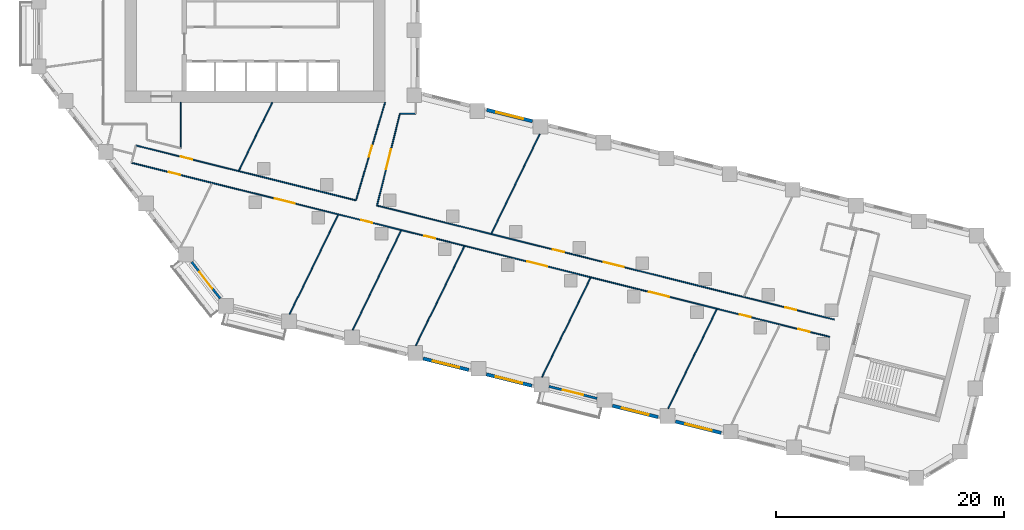
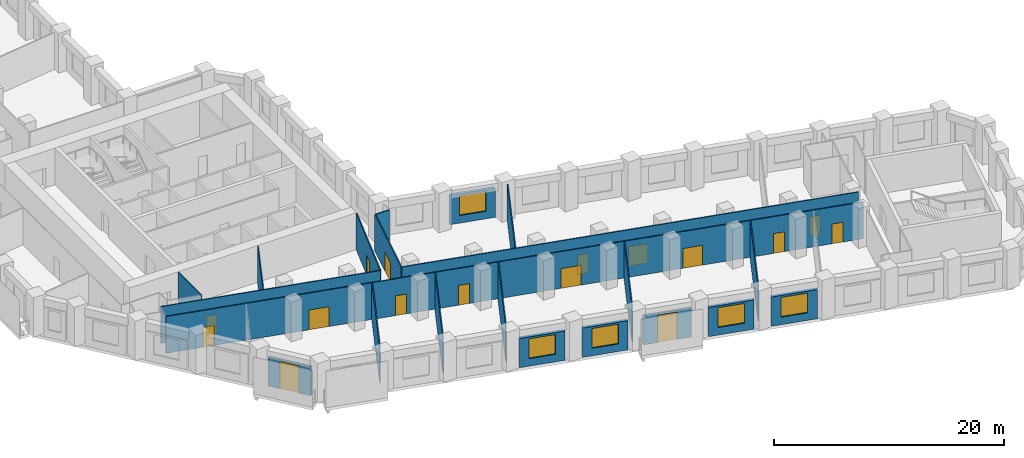
# One storey, part 3 of 11: 21 walls, 16 doors, 5 windows, 21 openings.
"""IFC4 building model written with IfcOpenShell, lengths in metres."""

from ifc_helpers import new_model, si_unit, direction, frame, frame_2d, origin, place, context, subcontext, project, spatial, rectangle, extrude, material, layer, layer_set, type_object, element, fill, save


model = new_model("IFC4")

# Units and contexts
model_context = context("Model", 3, precision=1e-05, world=origin(), true_north=direction((0.0, 1.0)))
body_context = subcontext(model_context, "Body", "Model", "MODEL_VIEW")
ifc_project = project(units=[si_unit("LENGTHUNIT", "METRE"), si_unit("AREAUNIT", "SQUARE_METRE"), si_unit("VOLUMEUNIT", "CUBIC_METRE"), si_unit("PLANEANGLEUNIT", "RADIAN"), si_unit("MASSUNIT", "GRAM", prefix="KILO")], contexts=[model_context])

# Site, building, storey
site_placement = place(None, origin())
site = spatial("IfcSite", under=ifc_project, at=site_placement, CompositionType="ELEMENT")
building_placement = place(site_placement, origin())
building = spatial("IfcBuilding", under=site, at=building_placement, Name="Meshkara Civic Tower", CompositionType="ELEMENT")
storey_placement = place(building_placement, frame((0.0, 0.0, 105.60009765625)))
storey = spatial("IfcBuildingStorey", under=building, at=storey_placement, Name="L23", CompositionType="ELEMENT", Elevation=105.60009765625)

# Wall, openings, doors
ifc_material_1 = material(Name="Corridor wall 100")
ifc_layer_1 = layer(ifc_material_1, 0.10009765625)
ifc_layer_set_1 = layer_set([ifc_layer_1], Name="Corridor wall 100")
wall_type_1 = type_object("IfcWallType", Name="Corridor wall 100", PredefinedType="PARTITIONING", material=ifc_layer_set_1)
wall_1_placement = place(storey_placement, frame((8.5791015625, 8.802978515625, 0.0), z_axis=(0.0, 0.0, 1.0), x_axis=(0.9702968999, -0.241917188404, 0.0)))
wall_1 = element("IfcWall", 1, at=wall_1_placement, inside=storey, type_object=wall_type_1, Name="L23-W006", PredefinedType="PARTITIONING", context=body_context, shape_type="SweptSolid", body=[
    extrude(rectangle(XDim=63.075439453125, YDim=0.10009765625, at=frame_2d((31.53759765625, 0.0))), origin(), (0.0, 0.0, 1.0), 3.89990234375),
])
opening_1_placement = place(wall_1_placement, frame((35.743896484375, 0.0, 0.0)))
opening_1 = element("IfcOpeningElement", 2, at=opening_1_placement, cuts=wall_1, Name="Opening L23-D002", PredefinedType="OPENING", context=body_context, shape_type="SweptSolid", body=[
    extrude(rectangle(XDim=1.800048828125, YDim=2.10009765625, at=frame_2d((0.89990234375, 1.050048828125))), frame((0.0, 0.06005859375, 0.0), z_axis=(0.0, -1.0, 0.0), x_axis=(1.0, 0.0, 0.0)), (0.0, 0.0, 1.0), 0.1201171875),
])
opening_2_placement = place(wall_1_placement, frame((46.743896484375, 0.0, 0.0)))
opening_2 = element("IfcOpeningElement", 3, at=opening_2_placement, cuts=wall_1, Name="Opening L23-D004", PredefinedType="OPENING", context=body_context, shape_type="SweptSolid", body=[
    extrude(rectangle(XDim=1.800048828125, YDim=2.10009765625, at=frame_2d((0.89990234375, 1.050048828125))), frame((0.0, 0.06005859375, 0.0), z_axis=(0.0, -1.0, 0.0), x_axis=(1.0, 0.0, 0.0)), (0.0, 0.0, 1.0), 0.1201171875),
])
opening_3_placement = place(wall_1_placement, frame((54.945068359375, 0.0, 0.0)))
opening_3 = element("IfcOpeningElement", 4, at=opening_3_placement, cuts=wall_1, Name="Opening L23-D005", PredefinedType="OPENING", context=body_context, shape_type="SweptSolid", body=[
    extrude(rectangle(XDim=1.0, YDim=2.10009765625, at=frame_2d((0.5, 1.050048828125))), frame((0.0, 0.06005859375, 0.0), z_axis=(0.0, -1.0, 0.0), x_axis=(1.0, 0.0, 0.0)), (0.0, 0.0, 1.0), 0.1201171875),
])
opening_4_placement = place(wall_1_placement, frame((60.243896484375, 0.0, 0.0)))
opening_4 = element("IfcOpeningElement", 5, at=opening_4_placement, cuts=wall_1, Name="Opening L23-D007", PredefinedType="OPENING", context=body_context, shape_type="SweptSolid", body=[
    extrude(rectangle(XDim=1.0, YDim=2.10009765625, at=frame_2d((0.5, 1.050048828125))), frame((0.0, 0.06005859375, 0.0), z_axis=(0.0, -1.0, 0.0), x_axis=(1.0, 0.0, 0.0)), (0.0, 0.0, 1.0), 0.1201171875),
])
opening_5_placement = place(wall_1_placement, frame((12.944091796875, 0.0, 0.0)))
opening_5 = element("IfcOpeningElement", 6, at=opening_5_placement, cuts=wall_1, Name="Opening L23-D008", PredefinedType="OPENING", context=body_context, shape_type="SweptSolid", body=[
    extrude(rectangle(XDim=1.800048828125, YDim=2.10009765625, at=frame_2d((0.89990234375, 1.050048828125))), frame((0.0, 0.06005859375, 0.0), z_axis=(0.0, -1.0, 0.0), x_axis=(1.0, 0.0, 0.0)), (0.0, 0.0, 1.0), 0.1201171875),
])
opening_6_placement = place(wall_1_placement, frame((20.743896484375, 0.0, 0.0)))
opening_6 = element("IfcOpeningElement", 7, at=opening_6_placement, cuts=wall_1, Name="Opening L23-D009", PredefinedType="OPENING", context=body_context, shape_type="SweptSolid", body=[
    extrude(rectangle(XDim=1.0, YDim=2.10009765625, at=frame_2d((0.5, 1.050048828125))), frame((0.0, 0.06005859375, 0.0), z_axis=(0.0, -1.0, 0.0), x_axis=(1.0, 0.0, 0.0)), (0.0, 0.0, 1.0), 0.1201171875),
])
opening_7_placement = place(wall_1_placement, frame((26.444091796875, 0.0, 0.0)))
opening_7 = element("IfcOpeningElement", 8, at=opening_7_placement, cuts=wall_1, Name="Opening L23-D010", PredefinedType="OPENING", context=body_context, shape_type="SweptSolid", body=[
    extrude(rectangle(XDim=1.0, YDim=2.10009765625, at=frame_2d((0.5, 1.050048828125))), frame((0.0, 0.06005859375, 0.0), z_axis=(0.0, -1.0, 0.0), x_axis=(1.0, 0.0, 0.0)), (0.0, 0.0, 1.0), 0.1201171875),
])
opening_8_placement = place(wall_1_placement, frame((3.3798828125, 0.0, 0.0)))
opening_8 = element("IfcOpeningElement", 9, at=opening_8_placement, cuts=wall_1, Name="Opening L23-D014", PredefinedType="OPENING", context=body_context, shape_type="SweptSolid", body=[
    extrude(rectangle(XDim=1.0, YDim=2.10009765625, at=frame_2d((0.5, 1.050048828125))), frame((0.0, 0.06005859375, 0.0), z_axis=(0.0, -1.0, 0.0), x_axis=(1.0, 0.0, 0.0)), (0.0, 0.0, 1.0), 0.1201171875),
])
ifc_material_2 = material(Name="Door 1000 x 2100")
door_type_1 = type_object("IfcDoorType", Name="Door 1000 x 2100", OperationType="SINGLE_SWING_LEFT", PredefinedType="DOOR", material=ifc_material_2)
door_1_placement = place(opening_3_placement, origin())
door_1 = element("IfcDoor", 10, at=door_1_placement, inside=storey, type_object=door_type_1, Name="L23-D005", OperationType="SINGLE_SWING_RIGHT", OverallHeight=2.10009765625, OverallWidth=1.0, PredefinedType="DOOR", context=body_context, shape_type="SweptSolid", body=[
    extrude(rectangle(XDim=1.0, YDim=2.10009765625, at=frame_2d((0.5, 1.050048828125))), frame((0.0, 0.02490234375, 0.0), z_axis=(0.0, -1.0, 0.0), x_axis=(1.0, 0.0, 0.0)), (0.0, 0.0, 1.0), 0.050048828125),
])
fill(opening_3, door_1)
door_2_placement = place(opening_4_placement, origin())
door_2 = element("IfcDoor", 11, at=door_2_placement, inside=storey, type_object=door_type_1, Name="L23-D007", OperationType="SINGLE_SWING_RIGHT", OverallHeight=2.10009765625, OverallWidth=1.0, PredefinedType="DOOR", context=body_context, shape_type="SweptSolid", body=[
    extrude(rectangle(XDim=1.0, YDim=2.10009765625, at=frame_2d((0.5, 1.050048828125))), frame((0.0, 0.02490234375, 0.0), z_axis=(0.0, -1.0, 0.0), x_axis=(1.0, 0.0, 0.0)), (0.0, 0.0, 1.0), 0.050048828125),
])
fill(opening_4, door_2)
door_3_placement = place(opening_6_placement, origin())
door_3 = element("IfcDoor", 12, at=door_3_placement, inside=storey, type_object=door_type_1, Name="L23-D009", OperationType="SINGLE_SWING_RIGHT", OverallHeight=2.10009765625, OverallWidth=1.0, PredefinedType="DOOR", context=body_context, shape_type="SweptSolid", body=[
    extrude(rectangle(XDim=1.0, YDim=2.10009765625, at=frame_2d((0.5, 1.050048828125))), frame((0.0, 0.02490234375, 0.0), z_axis=(0.0, -1.0, 0.0), x_axis=(1.0, 0.0, 0.0)), (0.0, 0.0, 1.0), 0.050048828125),
])
fill(opening_6, door_3)
door_4_placement = place(opening_7_placement, origin())
door_4 = element("IfcDoor", 13, at=door_4_placement, inside=storey, type_object=door_type_1, Name="L23-D010", OperationType="SINGLE_SWING_RIGHT", OverallHeight=2.10009765625, OverallWidth=1.0, PredefinedType="DOOR", context=body_context, shape_type="SweptSolid", body=[
    extrude(rectangle(XDim=1.0, YDim=2.10009765625, at=frame_2d((0.5, 1.050048828125))), frame((0.0, 0.02490234375, 0.0), z_axis=(0.0, -1.0, 0.0), x_axis=(1.0, 0.0, 0.0)), (0.0, 0.0, 1.0), 0.050048828125),
])
fill(opening_7, door_4)
door_5_placement = place(opening_8_placement, origin())
door_5 = element("IfcDoor", 14, at=door_5_placement, inside=storey, type_object=door_type_1, Name="L23-D014", OperationType="SINGLE_SWING_LEFT", OverallHeight=2.10009765625, OverallWidth=1.0, PredefinedType="DOOR", context=body_context, shape_type="SweptSolid", body=[
    extrude(rectangle(XDim=1.0, YDim=2.10009765625, at=frame_2d((0.5, 1.050048828125))), frame((0.0, 0.02490234375, 0.0), z_axis=(0.0, -1.0, 0.0), x_axis=(1.0, 0.0, 0.0)), (0.0, 0.0, 1.0), 0.050048828125),
])
fill(opening_8, door_5)
ifc_material_3 = material(Name="Door pair 1800 x 2100")
door_type_2 = type_object("IfcDoorType", Name="Door pair 1800 x 2100", OperationType="SINGLE_SWING_LEFT", PredefinedType="DOOR", material=ifc_material_3)
door_6_placement = place(opening_1_placement, origin())
door_6 = element("IfcDoor", 15, at=door_6_placement, inside=storey, type_object=door_type_2, Name="L23-D002", OperationType="DOUBLE_DOOR_SINGLE_SWING", OverallHeight=2.10009765625, OverallWidth=1.800048828125, PredefinedType="DOOR", context=body_context, shape_type="SweptSolid", body=[
    extrude(rectangle(XDim=1.800048828125, YDim=2.10009765625, at=frame_2d((0.89990234375, 1.050048828125))), frame((0.0, 0.02490234375, 0.0), z_axis=(0.0, -1.0, 0.0), x_axis=(1.0, 0.0, 0.0)), (0.0, 0.0, 1.0), 0.050048828125),
])
fill(opening_1, door_6)
door_7_placement = place(opening_2_placement, origin())
door_7 = element("IfcDoor", 16, at=door_7_placement, inside=storey, type_object=door_type_2, Name="L23-D004", OperationType="DOUBLE_DOOR_SINGLE_SWING", OverallHeight=2.10009765625, OverallWidth=1.800048828125, PredefinedType="DOOR", context=body_context, shape_type="SweptSolid", body=[
    extrude(rectangle(XDim=1.800048828125, YDim=2.10009765625, at=frame_2d((0.89990234375, 1.050048828125))), frame((0.0, 0.02490234375, 0.0), z_axis=(0.0, -1.0, 0.0), x_axis=(1.0, 0.0, 0.0)), (0.0, 0.0, 1.0), 0.050048828125),
])
fill(opening_2, door_7)
door_8_placement = place(opening_5_placement, origin())
door_8 = element("IfcDoor", 17, at=door_8_placement, inside=storey, type_object=door_type_2, Name="L23-D008", OperationType="DOUBLE_DOOR_SINGLE_SWING", OverallHeight=2.10009765625, OverallWidth=1.800048828125, PredefinedType="DOOR", context=body_context, shape_type="SweptSolid", body=[
    extrude(rectangle(XDim=1.800048828125, YDim=2.10009765625, at=frame_2d((0.89990234375, 1.050048828125))), frame((0.0, 0.02490234375, 0.0), z_axis=(0.0, -1.0, 0.0), x_axis=(1.0, 0.0, 0.0)), (0.0, 0.0, 1.0), 0.050048828125),
])
fill(opening_5, door_8)

# Wall, opening, door
wall_2_placement = place(storey_placement, frame((8.9580078125, 10.322998046875, 0.0), z_axis=(0.0, 0.0, 1.0), x_axis=(0.970298340477, -0.241911410372, 0.0)))
wall_2 = element("IfcWall", 18, at=wall_2_placement, inside=storey, type_object=wall_type_1, Name="L23-W007", PredefinedType="PARTITIONING", context=body_context, shape_type="SweptSolid", body=[
    extrude(rectangle(XDim=19.879638671875, YDim=0.10009765625, at=frame_2d((9.93994140625, 0.0))), origin(), (0.0, 0.0, 1.0), 3.89990234375),
])
opening_9_placement = place(wall_2_placement, frame((4.080078125, 0.0, 0.0)))
opening_9 = element("IfcOpeningElement", 19, at=opening_9_placement, cuts=wall_2, Name="Opening L23-D015", PredefinedType="OPENING", context=body_context, shape_type="SweptSolid", body=[
    extrude(rectangle(XDim=1.0, YDim=2.10009765625, at=frame_2d((0.5, 1.050048828125))), frame((0.0, 0.06005859375, 0.0), z_axis=(0.0, -1.0, 0.0), x_axis=(1.0, 0.0, 0.0)), (0.0, 0.0, 1.0), 0.1201171875),
])
door_9_placement = place(opening_9_placement, origin())
door_9 = element("IfcDoor", 20, at=door_9_placement, inside=storey, type_object=door_type_1, Name="L23-D015", OperationType="SINGLE_SWING_LEFT", OverallHeight=2.10009765625, OverallWidth=1.0, PredefinedType="DOOR", context=body_context, shape_type="SweptSolid", body=[
    extrude(rectangle(XDim=1.0, YDim=2.10009765625, at=frame_2d((0.5, 1.050048828125))), frame((0.0, 0.02490234375, 0.0), z_axis=(0.0, -1.0, 0.0), x_axis=(1.0, 0.0, 0.0)), (0.0, 0.0, 1.0), 0.050048828125),
])
fill(opening_9, door_9)

# Wall
wall_3_placement = place(storey_placement, frame((12.89990234375, 10.077880859375, 0.0), z_axis=(0.0, 0.0, 1.0), x_axis=(0.0, 1.0, 0.0)))
element("IfcWall", 21, at=wall_3_placement, inside=storey, type_object=wall_type_1, Name="L23-W014", PredefinedType="PARTITIONING", context=body_context, shape_type="SweptSolid", body=[
    extrude(rectangle(XDim=4.022216796875, YDim=0.10009765625, at=frame_2d((2.01123046875, 0.0))), origin(), (0.0, 0.0, 1.0), 3.89990234375),
])

# Wall, openings, doors
wall_4_placement = place(storey_placement, frame((30.091064453125, 5.053955078125, 0.0), z_axis=(0.0, 0.0, 1.0), x_axis=(0.970297406124, -0.241915157999, 0.0)))
wall_4 = element("IfcWall", 22, at=wall_4_placement, inside=storey, type_object=wall_type_1, Name="L23-W020", PredefinedType="PARTITIONING", context=body_context, shape_type="SweptSolid", body=[
    extrude(rectangle(XDim=41.29541015625, YDim=0.10009765625, at=frame_2d((20.647705078125, 0.0))), origin(), (0.0, 0.0, 1.0), 3.89990234375),
])
opening_10_placement = place(wall_4_placement, frame((20.488037109375, 0.0, 0.0)))
opening_10 = element("IfcOpeningElement", 23, at=opening_10_placement, cuts=wall_4, Name="Opening L23-D003", PredefinedType="OPENING", context=body_context, shape_type="SweptSolid", body=[
    extrude(rectangle(XDim=1.800048828125, YDim=2.10009765625, at=frame_2d((0.89990234375, 1.050048828125))), frame((0.0, 0.06005859375, 0.0), z_axis=(0.0, -1.0, 0.0), x_axis=(1.0, 0.0, 0.0)), (0.0, 0.0, 1.0), 0.1201171875),
])
opening_11_placement = place(wall_4_placement, frame((36.886962890625, 0.0, 0.0)))
opening_11 = element("IfcOpeningElement", 24, at=opening_11_placement, cuts=wall_4, Name="Opening L23-D006", PredefinedType="OPENING", context=body_context, shape_type="SweptSolid", body=[
    extrude(rectangle(XDim=1.0, YDim=2.10009765625, at=frame_2d((0.5, 1.050048828125))), frame((0.0, 0.06005859375, 0.0), z_axis=(0.0, -1.0, 0.0), x_axis=(1.0, 0.0, 0.0)), (0.0, 0.0, 1.0), 0.1201171875),
])
opening_12_placement = place(wall_4_placement, frame((15.887939453125, 0.0, 0.0)))
opening_12 = element("IfcOpeningElement", 25, at=opening_12_placement, cuts=wall_4, Name="Opening L23-D011", PredefinedType="OPENING", context=body_context, shape_type="SweptSolid", body=[
    extrude(rectangle(XDim=1.0, YDim=2.10009765625, at=frame_2d((0.5, 1.050048828125))), frame((0.0, 0.06005859375, 0.0), z_axis=(0.0, -1.0, 0.0), x_axis=(1.0, 0.0, 0.0)), (0.0, 0.0, 1.0), 0.1201171875),
])
door_10_placement = place(opening_11_placement, origin())
door_10 = element("IfcDoor", 26, at=door_10_placement, inside=storey, type_object=door_type_1, Name="L23-D006", OperationType="SINGLE_SWING_RIGHT", OverallHeight=2.10009765625, OverallWidth=1.0, PredefinedType="DOOR", context=body_context, shape_type="SweptSolid", body=[
    extrude(rectangle(XDim=1.0, YDim=2.10009765625, at=frame_2d((0.5, 1.050048828125))), frame((0.0, 0.02490234375, 0.0), z_axis=(0.0, -1.0, 0.0), x_axis=(1.0, 0.0, 0.0)), (0.0, 0.0, 1.0), 0.050048828125),
])
fill(opening_11, door_10)
door_11_placement = place(opening_12_placement, origin())
door_11 = element("IfcDoor", 27, at=door_11_placement, inside=storey, type_object=door_type_1, Name="L23-D011", OperationType="SINGLE_SWING_LEFT", OverallHeight=2.10009765625, OverallWidth=1.0, PredefinedType="DOOR", context=body_context, shape_type="SweptSolid", body=[
    extrude(rectangle(XDim=1.0, YDim=2.10009765625, at=frame_2d((0.5, 1.050048828125))), frame((0.0, 0.02490234375, 0.0), z_axis=(0.0, -1.0, 0.0), x_axis=(1.0, 0.0, 0.0)), (0.0, 0.0, 1.0), 0.050048828125),
])
fill(opening_12, door_11)
door_12_placement = place(opening_10_placement, origin())
door_12 = element("IfcDoor", 28, at=door_12_placement, inside=storey, type_object=door_type_2, Name="L23-D003", OperationType="DOUBLE_DOOR_SINGLE_SWING", OverallHeight=2.10009765625, OverallWidth=1.800048828125, PredefinedType="DOOR", context=body_context, shape_type="SweptSolid", body=[
    extrude(rectangle(XDim=1.800048828125, YDim=2.10009765625, at=frame_2d((0.89990234375, 1.050048828125))), frame((0.0, 0.02490234375, 0.0), z_axis=(0.0, -1.0, 0.0), x_axis=(1.0, 0.0, 0.0)), (0.0, 0.0, 1.0), 0.050048828125),
])
fill(opening_10, door_12)

# Wall, opening, door
wall_5_placement = place(storey_placement, frame((30.091064453125, 5.053955078125, 0.0), z_axis=(0.0, 0.0, 1.0), x_axis=(0.241891322374, 0.970303348526, 0.0)))
wall_5 = element("IfcWall", 29, at=wall_5_placement, inside=storey, type_object=wall_type_1, Name="L23-W021", PredefinedType="PARTITIONING", context=body_context, shape_type="SweptSolid", body=[
    extrude(rectangle(XDim=8.29248046875, YDim=0.10009765625, at=frame_2d((4.146240234375, 0.0))), origin(), (0.0, 0.0, 1.0), 3.89990234375),
])
opening_13_placement = place(wall_5_placement, frame((3.280029296875, 0.0, 0.0)))
opening_13 = element("IfcOpeningElement", 30, at=opening_13_placement, cuts=wall_5, Name="Opening L23-D017", PredefinedType="OPENING", context=body_context, shape_type="SweptSolid", body=[
    extrude(rectangle(XDim=1.800048828125, YDim=2.10009765625, at=frame_2d((0.89990234375, 1.050048828125))), frame((0.0, 0.06005859375, 0.0), z_axis=(0.0, -1.0, 0.0), x_axis=(1.0, 0.0, 0.0)), (0.0, 0.0, 1.0), 0.1201171875),
])
door_13_placement = place(opening_13_placement, origin())
door_13 = element("IfcDoor", 31, at=door_13_placement, inside=storey, type_object=door_type_2, Name="L23-D017", OperationType="DOUBLE_DOOR_SINGLE_SWING", OverallHeight=2.10009765625, OverallWidth=1.800048828125, PredefinedType="DOOR", context=body_context, shape_type="SweptSolid", body=[
    extrude(rectangle(XDim=1.800048828125, YDim=2.10009765625, at=frame_2d((0.89990234375, 1.050048828125))), frame((0.0, 0.02490234375, 0.0), z_axis=(0.0, -1.0, 0.0), x_axis=(1.0, 0.0, 0.0)), (0.0, 0.0, 1.0), 0.050048828125),
])
fill(opening_13, door_13)

wall_6_placement = place(storey_placement, frame((30.800048828125, 14.10009765625, 0.0), z_axis=(0.0, 0.0, 1.0), x_axis=(-0.285004107837, -0.958526295162, 0.0)))
wall_6 = element("IfcWall", 32, at=wall_6_placement, inside=storey, type_object=wall_type_1, Name="L23-W022", PredefinedType="PARTITIONING", context=body_context, shape_type="SweptSolid", body=[
    extrude(rectangle(XDim=8.957763671875, YDim=0.10009765625, at=frame_2d((4.47900390625, 0.0))), origin(), (0.0, 0.0, 1.0), 3.89990234375),
])
opening_14_placement = place(wall_6_placement, frame((3.97998046875, 0.0, 0.0)))
opening_14 = element("IfcOpeningElement", 33, at=opening_14_placement, cuts=wall_6, Name="Opening L23-D016", PredefinedType="OPENING", context=body_context, shape_type="SweptSolid", body=[
    extrude(rectangle(XDim=1.0, YDim=2.10009765625, at=frame_2d((0.5, 1.050048828125))), frame((0.0, 0.06005859375, 0.0), z_axis=(0.0, -1.0, 0.0), x_axis=(1.0, 0.0, 0.0)), (0.0, 0.0, 1.0), 0.1201171875),
])
door_14_placement = place(opening_14_placement, origin())
door_14 = element("IfcDoor", 34, at=door_14_placement, inside=storey, type_object=door_type_1, Name="L23-D016", OperationType="SINGLE_SWING_LEFT", OverallHeight=2.10009765625, OverallWidth=1.0, PredefinedType="DOOR", context=body_context, shape_type="SweptSolid", body=[
    extrude(rectangle(XDim=1.0, YDim=2.10009765625, at=frame_2d((0.5, 1.050048828125))), frame((0.0, 0.02490234375, 0.0), z_axis=(0.0, -1.0, 0.0), x_axis=(1.0, 0.0, 0.0)), (0.0, 0.0, 1.0), 0.050048828125),
])
fill(opening_14, door_14)

# Wall
wall_7_placement = place(storey_placement, frame((32.096923828125, 13.10009765625, 0.0), z_axis=(0.0, 0.0, 1.0), x_axis=(1.0, 0.0, 0.0)))
element("IfcWall", 35, at=wall_7_placement, inside=storey, type_object=wall_type_1, Name="L23-W023", PredefinedType="PARTITIONING", context=body_context, shape_type="SweptSolid", body=[
    extrude(rectangle(XDim=1.403076171875, YDim=0.10009765625, at=frame_2d((0.70166015625, 0.0))), origin(), (0.0, 0.0, 1.0), 3.89990234375),
])

# Wall, opening, window
ifc_material_4 = material(Name="Insulated infill panel with bronze anodised aluminium cladding", Category="aluminium")
ifc_layer_2 = layer(ifc_material_4, 0.300048828125)
ifc_layer_set_2 = layer_set([ifc_layer_2], Name="EXTERNAL INFILL WALL 300")
wall_type_2 = type_object("IfcWallType", Name="EXTERNAL INFILL WALL 300", PredefinedType="SOLIDWALL", material=ifc_layer_set_2)
wall_8_placement = place(storey_placement, frame((43.718994140625, 12.443115234375, 0.0), z_axis=(0.0, 0.0, 1.0), x_axis=(-0.970281650314, 0.241978344205, 0.0)))
wall_8 = element("IfcWall", 36, at=wall_8_placement, inside=storey, type_object=wall_type_2, Name="External wall", PredefinedType="SOLIDWALL", context=body_context, shape_type="SweptSolid", body=[
    extrude(rectangle(XDim=4.12353515625, YDim=0.300048828125, at=frame_2d((2.061767578125, 0.0))), origin(), (0.0, 0.0, 1.0), 3.099853515625),
])
opening_15_placement = place(wall_8_placement, frame((0.862060546875, 0.0, 0.800048828125)))
opening_15 = element("IfcOpeningElement", 37, at=opening_15_placement, cuts=wall_8, Name="Opening W7", PredefinedType="OPENING", context=body_context, shape_type="SweptSolid", body=[
    extrude(rectangle(XDim=2.39990234375, YDim=2.10009765625, at=frame_2d((1.199951171875, 1.050048828125))), frame((0.0, 0.159912109375, 0.0), z_axis=(0.0, -1.0, 0.0), x_axis=(1.0, 0.0, 0.0)), (0.0, 0.0, 1.0), 0.320068359375),
])
ifc_material_5 = material(Name="Tinted double glazing", Category="glass")
window_type = type_object("IfcWindowType", Name="WINDOW 2400x2100", PartitioningType="DOUBLE_PANEL_VERTICAL", PredefinedType="WINDOW", material=ifc_material_5)
window_1_placement = place(opening_15_placement, origin())
window_1 = element("IfcWindow", 38, at=window_1_placement, inside=storey, type_object=window_type, Name="Window", OverallHeight=2.10009765625, OverallWidth=2.39990234375, PartitioningType="DOUBLE_PANEL_VERTICAL", PredefinedType="WINDOW", context=body_context, shape_type="SweptSolid", body=[
    extrude(rectangle(XDim=2.39990234375, YDim=2.10009765625, at=frame_2d((1.199951171875, 1.050048828125))), frame((0.0, 0.030029296875, 0.0), z_axis=(0.0, -1.0, 0.0), x_axis=(1.0, 0.0, 0.0)), (0.0, 0.0, 1.0), 0.06005859375),
])
fill(opening_15, window_1)

wall_9_placement = place(storey_placement, frame((34.135009765625, -8.35595703125, 0.0), z_axis=(0.0, 0.0, 1.0), x_axis=(0.970281616392, -0.241978480223, 0.0)))
wall_9 = element("IfcWall", 39, at=wall_9_placement, inside=storey, type_object=wall_type_2, Name="External wall", PredefinedType="SOLIDWALL", context=body_context, shape_type="SweptSolid", body=[
    extrude(rectangle(XDim=4.12451171875, YDim=0.300048828125, at=frame_2d((2.062255859375, 0.0))), origin(), (0.0, 0.0, 1.0), 3.099853515625),
])
opening_16_placement = place(wall_9_placement, frame((0.862060546875, 0.0, 0.800048828125)))
opening_16 = element("IfcOpeningElement", 40, at=opening_16_placement, cuts=wall_9, Name="Opening W7", PredefinedType="OPENING", context=body_context, shape_type="SweptSolid", body=[
    extrude(rectangle(XDim=2.39990234375, YDim=2.10009765625, at=frame_2d((1.199951171875, 1.050048828125))), frame((0.0, 0.159912109375, 0.0), z_axis=(0.0, -1.0, 0.0), x_axis=(1.0, 0.0, 0.0)), (0.0, 0.0, 1.0), 0.320068359375),
])
window_2_placement = place(opening_16_placement, origin())
window_2 = element("IfcWindow", 41, at=window_2_placement, inside=storey, type_object=window_type, Name="Window", OverallHeight=2.10009765625, OverallWidth=2.39990234375, PartitioningType="DOUBLE_PANEL_VERTICAL", PredefinedType="WINDOW", context=body_context, shape_type="SweptSolid", body=[
    extrude(rectangle(XDim=2.39990234375, YDim=2.10009765625, at=frame_2d((1.199951171875, 1.050048828125))), frame((0.0, 0.030029296875, 0.0), z_axis=(0.0, -1.0, 0.0), x_axis=(1.0, 0.0, 0.0)), (0.0, 0.0, 1.0), 0.06005859375),
])
fill(opening_16, window_2)

wall_10_placement = place(storey_placement, frame((39.666015625, -9.735107421875, 0.0), z_axis=(0.0, 0.0, 1.0), x_axis=(0.97029551261, -0.241922752565, 0.0)))
wall_10 = element("IfcWall", 42, at=wall_10_placement, inside=storey, type_object=wall_type_2, Name="External wall", PredefinedType="SOLIDWALL", context=body_context, shape_type="SweptSolid", body=[
    extrude(rectangle(XDim=4.12451171875, YDim=0.300048828125, at=frame_2d((2.062255859375, 0.0))), origin(), (0.0, 0.0, 1.0), 3.099853515625),
])
opening_17_placement = place(wall_10_placement, frame((0.862060546875, 0.0, 0.800048828125)))
opening_17 = element("IfcOpeningElement", 43, at=opening_17_placement, cuts=wall_10, Name="Opening W7", PredefinedType="OPENING", context=body_context, shape_type="SweptSolid", body=[
    extrude(rectangle(XDim=2.39990234375, YDim=2.10009765625, at=frame_2d((1.199951171875, 1.050048828125))), frame((0.0, 0.159912109375, 0.0), z_axis=(0.0, -1.0, 0.0), x_axis=(1.0, 0.0, 0.0)), (0.0, 0.0, 1.0), 0.320068359375),
])
window_3_placement = place(opening_17_placement, origin())
window_3 = element("IfcWindow", 44, at=window_3_placement, inside=storey, type_object=window_type, Name="Window", OverallHeight=2.10009765625, OverallWidth=2.39990234375, PartitioningType="DOUBLE_PANEL_VERTICAL", PredefinedType="WINDOW", context=body_context, shape_type="SweptSolid", body=[
    extrude(rectangle(XDim=2.39990234375, YDim=2.10009765625, at=frame_2d((1.199951171875, 1.050048828125))), frame((0.0, 0.030029296875, 0.0), z_axis=(0.0, -1.0, 0.0), x_axis=(1.0, 0.0, 0.0)), (0.0, 0.0, 1.0), 0.06005859375),
])
fill(opening_17, window_3)

wall_11_placement = place(storey_placement, frame((50.72705078125, -12.492919921875, 0.0), z_axis=(0.0, 0.0, 1.0), x_axis=(0.970281616392, -0.241978480223, 0.0)))
wall_11 = element("IfcWall", 45, at=wall_11_placement, inside=storey, type_object=wall_type_2, Name="External wall", PredefinedType="SOLIDWALL", context=body_context, shape_type="SweptSolid", body=[
    extrude(rectangle(XDim=4.12451171875, YDim=0.300048828125, at=frame_2d((2.062255859375, 0.0))), origin(), (0.0, 0.0, 1.0), 3.099853515625),
])
opening_18_placement = place(wall_11_placement, frame((0.862060546875, 0.0, 0.800048828125)))
opening_18 = element("IfcOpeningElement", 46, at=opening_18_placement, cuts=wall_11, Name="Opening W7", PredefinedType="OPENING", context=body_context, shape_type="SweptSolid", body=[
    extrude(rectangle(XDim=2.39990234375, YDim=2.10009765625, at=frame_2d((1.199951171875, 1.050048828125))), frame((0.0, 0.159912109375, 0.0), z_axis=(0.0, -1.0, 0.0), x_axis=(1.0, 0.0, 0.0)), (0.0, 0.0, 1.0), 0.320068359375),
])
window_4_placement = place(opening_18_placement, origin())
window_4 = element("IfcWindow", 47, at=window_4_placement, inside=storey, type_object=window_type, Name="Window", OverallHeight=2.10009765625, OverallWidth=2.39990234375, PartitioningType="DOUBLE_PANEL_VERTICAL", PredefinedType="WINDOW", context=body_context, shape_type="SweptSolid", body=[
    extrude(rectangle(XDim=2.39990234375, YDim=2.10009765625, at=frame_2d((1.199951171875, 1.050048828125))), frame((0.0, 0.030029296875, 0.0), z_axis=(0.0, -1.0, 0.0), x_axis=(1.0, 0.0, 0.0)), (0.0, 0.0, 1.0), 0.06005859375),
])
fill(opening_18, window_4)

wall_12_placement = place(storey_placement, frame((56.258056640625, -13.8720703125, 0.0), z_axis=(0.0, 0.0, 1.0), x_axis=(0.970281616392, -0.241978480223, 0.0)))
wall_12 = element("IfcWall", 48, at=wall_12_placement, inside=storey, type_object=wall_type_2, Name="External wall", PredefinedType="SOLIDWALL", context=body_context, shape_type="SweptSolid", body=[
    extrude(rectangle(XDim=4.12451171875, YDim=0.300048828125, at=frame_2d((2.062255859375, 0.0))), origin(), (0.0, 0.0, 1.0), 3.099853515625),
])
opening_19_placement = place(wall_12_placement, frame((0.862060546875, 0.0, 0.800048828125)))
opening_19 = element("IfcOpeningElement", 49, at=opening_19_placement, cuts=wall_12, Name="Opening W7", PredefinedType="OPENING", context=body_context, shape_type="SweptSolid", body=[
    extrude(rectangle(XDim=2.39990234375, YDim=2.10009765625, at=frame_2d((1.199951171875, 1.050048828125))), frame((0.0, 0.159912109375, 0.0), z_axis=(0.0, -1.0, 0.0), x_axis=(1.0, 0.0, 0.0)), (0.0, 0.0, 1.0), 0.320068359375),
])
window_5_placement = place(opening_19_placement, origin())
window_5 = element("IfcWindow", 50, at=window_5_placement, inside=storey, type_object=window_type, Name="Window", OverallHeight=2.10009765625, OverallWidth=2.39990234375, PartitioningType="DOUBLE_PANEL_VERTICAL", PredefinedType="WINDOW", context=body_context, shape_type="SweptSolid", body=[
    extrude(rectangle(XDim=2.39990234375, YDim=2.10009765625, at=frame_2d((1.199951171875, 1.050048828125))), frame((0.0, 0.030029296875, 0.0), z_axis=(0.0, -1.0, 0.0), x_axis=(1.0, 0.0, 0.0)), (0.0, 0.0, 1.0), 0.06005859375),
])
fill(opening_19, window_5)

# Wall, opening, door
ifc_material_6 = material(Name="Insulated infill panel with bronze anodised aluminium cladding", Category="aluminium")
ifc_layer_3 = layer(ifc_material_6, 0.199951171875)
ifc_layer_set_3 = layer_set([ifc_layer_3], Name="LOGGIA BACK WALL 200")
wall_type_3 = type_object("IfcWallType", Name="LOGGIA BACK WALL 200", PredefinedType="SOLIDWALL", material=ifc_layer_set_3)
wall_13_placement = place(storey_placement, frame((13.85009765625, 0.10400390625, 0.0), z_axis=(0.0, 0.0, 1.0), x_axis=(0.615529395526, -0.788113927833, 0.0)))
wall_13 = element("IfcWall", 51, at=wall_13_placement, inside=storey, type_object=wall_type_3, Name="Loggia wall", PredefinedType="SOLIDWALL", context=body_context, shape_type="SweptSolid", body=[
    extrude(rectangle(XDim=4.050048828125, YDim=0.199951171875, at=frame_2d((2.02490234375, 0.0))), origin(), (0.0, 0.0, 1.0), 3.099853515625),
])
opening_20_placement = place(wall_13_placement, frame((1.125, 0.0, 0.0)))
opening_20 = element("IfcOpeningElement", 52, at=opening_20_placement, cuts=wall_13, Name="Opening L23-L003", PredefinedType="OPENING", context=body_context, shape_type="SweptSolid", body=[
    extrude(rectangle(XDim=1.800048828125, YDim=2.89990234375, at=frame_2d((0.89990234375, 1.449951171875))), frame((0.0, 0.10986328125, 0.0), z_axis=(0.0, -1.0, 0.0), x_axis=(1.0, 0.0, 0.0)), (0.0, 0.0, 1.0), 0.219970703125),
])
ifc_material_7 = material(Name="Tinted double glazing", Category="glass")
door_type_3 = type_object("IfcDoorType", Name="LOGGIA DOOR 1800x2900", OperationType="DOUBLE_DOOR_SINGLE_SWING", PredefinedType="DOOR", material=ifc_material_7)
door_15_placement = place(opening_20_placement, origin())
door_15 = element("IfcDoor", 53, at=door_15_placement, inside=storey, type_object=door_type_3, Name="L23-L003", OperationType="DOUBLE_DOOR_SINGLE_SWING", OverallHeight=2.89990234375, OverallWidth=1.800048828125, PredefinedType="DOOR", context=body_context, shape_type="SweptSolid", body=[
    extrude(rectangle(XDim=1.800048828125, YDim=2.89990234375, at=frame_2d((0.89990234375, 1.449951171875))), frame((0.0, 0.02490234375, 0.0), z_axis=(0.0, -1.0, 0.0), x_axis=(1.0, 0.0, 0.0)), (0.0, 0.0, 1.0), 0.050048828125),
])
fill(opening_20, door_15)

wall_14_placement = place(storey_placement, frame((45.155029296875, -10.794921875, 0.0), z_axis=(0.0, 0.0, 1.0), x_axis=(0.970320133294, -0.241823983352, 0.0)))
wall_14 = element("IfcWall", 54, at=wall_14_placement, inside=storey, type_object=wall_type_3, Name="Loggia wall", PredefinedType="SOLIDWALL", context=body_context, shape_type="SweptSolid", body=[
    extrude(rectangle(XDim=4.359375, YDim=0.199951171875, at=frame_2d((2.1796875, 0.0))), origin(), (0.0, 0.0, 1.0), 3.099853515625),
])
opening_21_placement = place(wall_14_placement, frame((1.279052734375, 0.0, 0.0)))
opening_21 = element("IfcOpeningElement", 55, at=opening_21_placement, cuts=wall_14, Name="Opening L23-L005", PredefinedType="OPENING", context=body_context, shape_type="SweptSolid", body=[
    extrude(rectangle(XDim=1.800048828125, YDim=2.89990234375, at=frame_2d((0.89990234375, 1.449951171875))), frame((0.0, 0.10986328125, 0.0), z_axis=(0.0, -1.0, 0.0), x_axis=(1.0, 0.0, 0.0)), (0.0, 0.0, 1.0), 0.219970703125),
])
door_16_placement = place(opening_21_placement, origin())
door_16 = element("IfcDoor", 56, at=door_16_placement, inside=storey, type_object=door_type_3, Name="L23-L005", OperationType="DOUBLE_DOOR_SINGLE_SWING", OverallHeight=2.89990234375, OverallWidth=1.800048828125, PredefinedType="DOOR", context=body_context, shape_type="SweptSolid", body=[
    extrude(rectangle(XDim=1.800048828125, YDim=2.89990234375, at=frame_2d((0.89990234375, 1.449951171875))), frame((0.0, 0.02490234375, 0.0), z_axis=(0.0, -1.0, 0.0), x_axis=(1.0, 0.0, 0.0)), (0.0, 0.0, 1.0), 0.050048828125),
])
fill(opening_21, door_16)

# Walls
ifc_material_8 = material(Name="Partition 100")
ifc_layer_4 = layer(ifc_material_8, 0.10009765625)
ifc_layer_set_4 = layer_set([ifc_layer_4], Name="Partition 100")
wall_type_4 = type_object("IfcWallType", Name="Partition 100", PredefinedType="PARTITIONING", material=ifc_layer_set_4)
wall_15_placement = place(storey_placement, frame((17.9970703125, 8.131103515625, 0.0), z_axis=(0.0, 0.0, 1.0), x_axis=(0.438324399474, 0.898816844983, 0.0)))
element("IfcWall", 57, at=wall_15_placement, inside=storey, type_object=wall_type_4, Name="L23-W039", PredefinedType="PARTITIONING", context=body_context, shape_type="SweptSolid", body=[
    extrude(rectangle(XDim=6.640869140625, YDim=0.10009765625, at=frame_2d((3.3203125, 0.0))), origin(), (0.0, 0.0, 1.0), 3.89990234375),
])
for number, where, z_axis, x_axis, name in (
    (58, (22.43310546875, -4.467041015625, 0.0), (0.0, 0.0, 1.0), (0.438299845828, 0.898828818601, 0.0), "L23-W043"),
    (59, (27.964111328125, -5.845947265625, 0.0), (0.0, 0.0, 1.0), (0.438299845828, 0.898828818601, 0.0), "L23-W044"),
    (60, (33.4951171875, -7.22509765625, 0.0), (0.0, 0.0, 1.0), (0.438299845828, 0.898828818601, 0.0), "L23-W045"),
):
    element("IfcWall", number, at=place(storey_placement, frame(where, z_axis=z_axis, x_axis=x_axis)), inside=storey, type_object=wall_type_4, Name=name, PredefinedType="PARTITIONING", context=body_context, shape_type="SweptSolid", body=[
        extrude(rectangle(XDim=9.676025390625, YDim=0.10009765625, at=frame_2d((4.837890625, 0.0))), origin(), (0.0, 0.0, 1.0), 3.89990234375),
    ])
wall_16_placement = place(storey_placement, frame((40.1201171875, 2.614990234375, 0.0), z_axis=(0.0, 0.0, 1.0), x_axis=(0.438339609777, 0.898809427243, 0.0)))
element("IfcWall", 61, at=wall_16_placement, inside=storey, type_object=wall_type_4, Name="L23-W046", PredefinedType="PARTITIONING", context=body_context, shape_type="SweptSolid", body=[
    extrude(rectangle(XDim=9.675048828125, YDim=0.10009765625, at=frame_2d((4.83740234375, 0.0))), origin(), (0.0, 0.0, 1.0), 3.89990234375),
])
wall_17_placement = place(storey_placement, frame((44.555908203125, -9.98193359375, 0.0), z_axis=(0.0, 0.0, 1.0), x_axis=(0.438359994928, 0.89879948534, 0.0)))
element("IfcWall", 62, at=wall_17_placement, inside=storey, type_object=wall_type_4, Name="L23-W047", PredefinedType="PARTITIONING", context=body_context, shape_type="SweptSolid", body=[
    extrude(rectangle(XDim=9.67529296875, YDim=0.10009765625, at=frame_2d((4.837646484375, 0.0))), origin(), (0.0, 0.0, 1.0), 3.89990234375),
])
wall_18_placement = place(storey_placement, frame((55.617919921875, -12.739990234375, 0.0), z_axis=(0.0, 0.0, 1.0), x_axis=(0.438339609777, 0.898809427243, 0.0)))
element("IfcWall", 63, at=wall_18_placement, inside=storey, type_object=wall_type_4, Name="L23-W048", PredefinedType="PARTITIONING", context=body_context, shape_type="SweptSolid", body=[
    extrude(rectangle(XDim=9.675048828125, YDim=0.10009765625, at=frame_2d((4.83740234375, 0.0))), origin(), (0.0, 0.0, 1.0), 3.89990234375),
])

save(model, "model.ifc")
